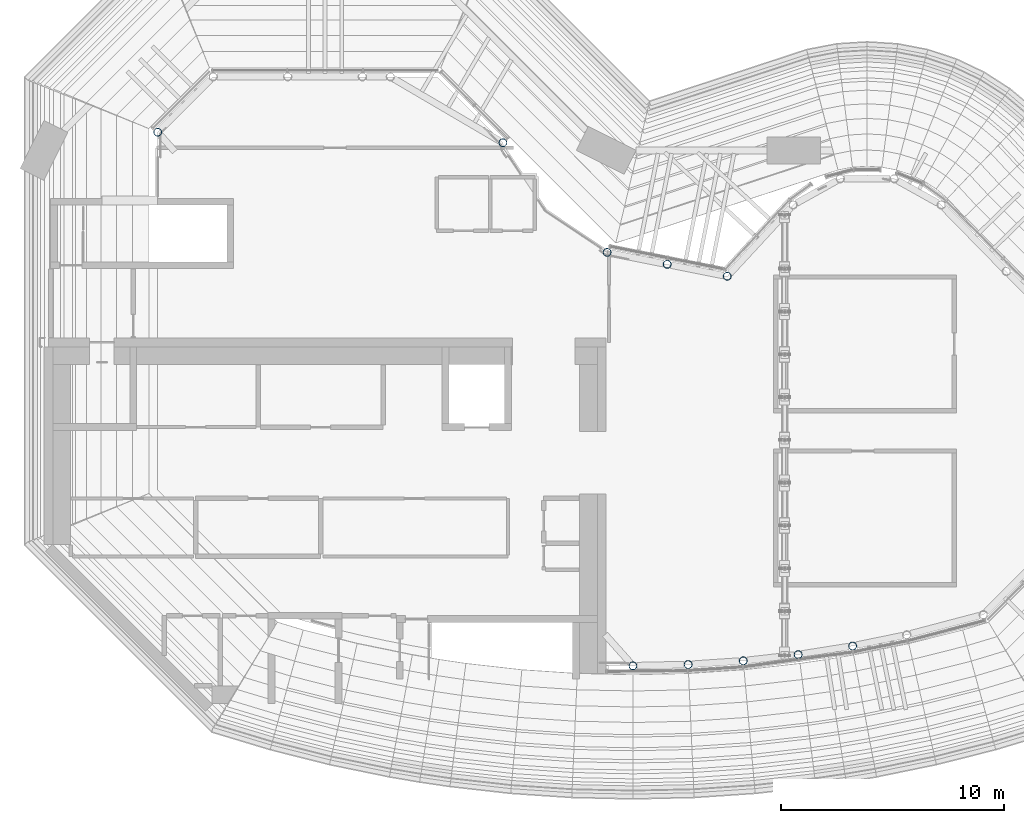
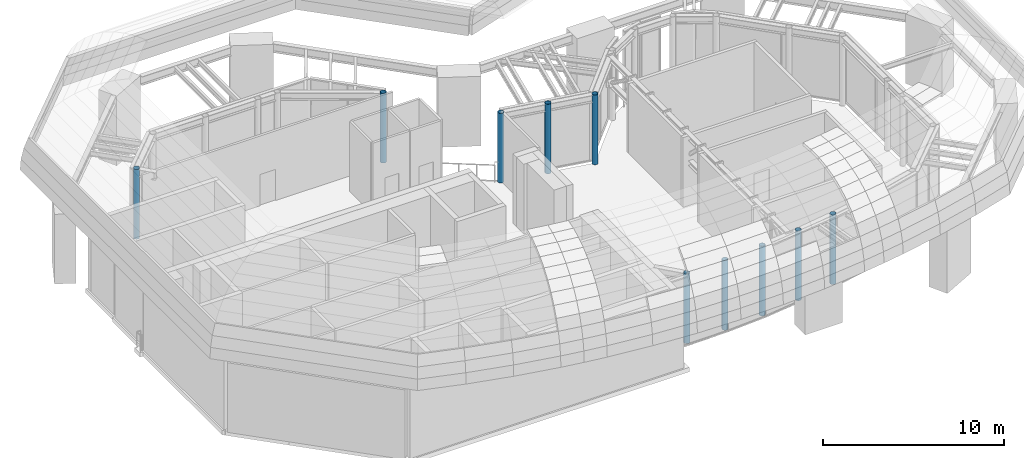
# One storey, part 1 of 20: 10 columns.
"""IFC4 building model written with IfcOpenShell, lengths in metres."""

from ifc_helpers import new_model, si_unit, direction, frame, origin, origin_2d, place, context, subcontext, project, spatial, hollow_circle, extrude, material, material_profile, profile_set, type_object, element, save


model = new_model("IFC4")

# Units and contexts
model_context = context("Model", 3, precision=1e-05, world=origin(), true_north=direction((0.0, 1.0)))
body_context = subcontext(model_context, "Body", "Model", "MODEL_VIEW")
ifc_project = project(units=[si_unit("LENGTHUNIT", "METRE"), si_unit("AREAUNIT", "SQUARE_METRE"), si_unit("VOLUMEUNIT", "CUBIC_METRE"), si_unit("PLANEANGLEUNIT", "RADIAN"), si_unit("MASSUNIT", "GRAM", prefix="KILO")], contexts=[model_context])

# Site, building, storey
site_placement = place(None, origin())
site = spatial("IfcSite", under=ifc_project, at=site_placement, CompositionType="ELEMENT")
building_placement = place(site_placement, origin())
building = spatial("IfcBuilding", under=site, at=building_placement, Name="Brevane Broadcast Tower", CompositionType="ELEMENT")
storey_placement = place(building_placement, frame((0.0, 0.0, 264.199951171875)))
storey = spatial("IfcBuildingStorey", under=building, at=storey_placement, Name="L66", CompositionType="ELEMENT", Elevation=264.199951171875)

# Columns
ifc_material = material(Name="Steel S355", Category="steel")
ifc_material_profile = material_profile(ifc_material, hollow_circle(Radius=0.177734375, WallThickness=0.012451171875, at=origin_2d()), Name="CHS 355.6x12.5")
ifc_profile_set = profile_set([ifc_material_profile], Name="Steel S355")
column_type = type_object("IfcColumnType", Name="STEEL ENCLOSURE POST CHS 355.6x12.5 S355", PredefinedType="COLUMN", material=ifc_profile_set)
for number, where, z_axis, x_axis, name in (
    (1, (5.10009765625, 26.0146484375, 0.0), (0.0, 0.0, 1.0), (1.0, 0.0, 0.0), "SP2 1"),
    (2, (20.5703125, 25.54443359375, 0.0), (0.0, 0.0, 1.0), (1.0, 0.0, 0.0), "SP2 6"),
    (3, (25.240478515625, 20.630859375, 0.0), (0.0, 0.0, 1.0), (1.0, 0.0, 0.0), "SP2 7"),
    (4, (27.93408203125, 20.094970703125, 0.0), (0.0, 0.0, 1.0), (1.0, 0.0, 0.0), "SP2 8"),
    (5, (30.627685546875, 19.559326171875, 0.0), (0.0, 0.0, 1.0), (1.0, 0.0, 0.0), "SP2 9"),
    (6, (36.24755859375, 2.988525390625, 0.0), (0.0, 0.0, 1.0), (1.0, 0.0, 0.0), "SP2 21"),
    (7, (33.80322265625, 2.6005859375, 0.0), (0.0, 0.0, 1.0), (1.0, 0.0, 0.0), "SP2 22"),
    (8, (31.34375, 2.322998046875, 0.0), (0.0, 0.0, 1.0), (1.0, 0.0, 0.0), "SP2 23"),
    (9, (28.87451171875, 2.156005859375, 0.0), (0.0, 0.0, 1.0), (1.0, 0.0, 0.0), "SP2 24"),
    (10, (26.39990234375, 2.100341796875, 0.0), (0.0, 0.0, 1.0), (1.0, 0.0, 0.0), "SP2 25"),
):
    element("IfcColumn", number, at=place(storey_placement, frame(where, z_axis=z_axis, x_axis=x_axis)), inside=storey, type_object=column_type, Name=name, PredefinedType="COLUMN", context=body_context, shape_type="SweptSolid", body=[
        extrude(hollow_circle(Radius=0.177734375, WallThickness=0.012451171875, at=origin_2d()), origin(), (0.0, 0.0, 1.0), 4.699951171875),
    ])

save(model, "model.ifc")
